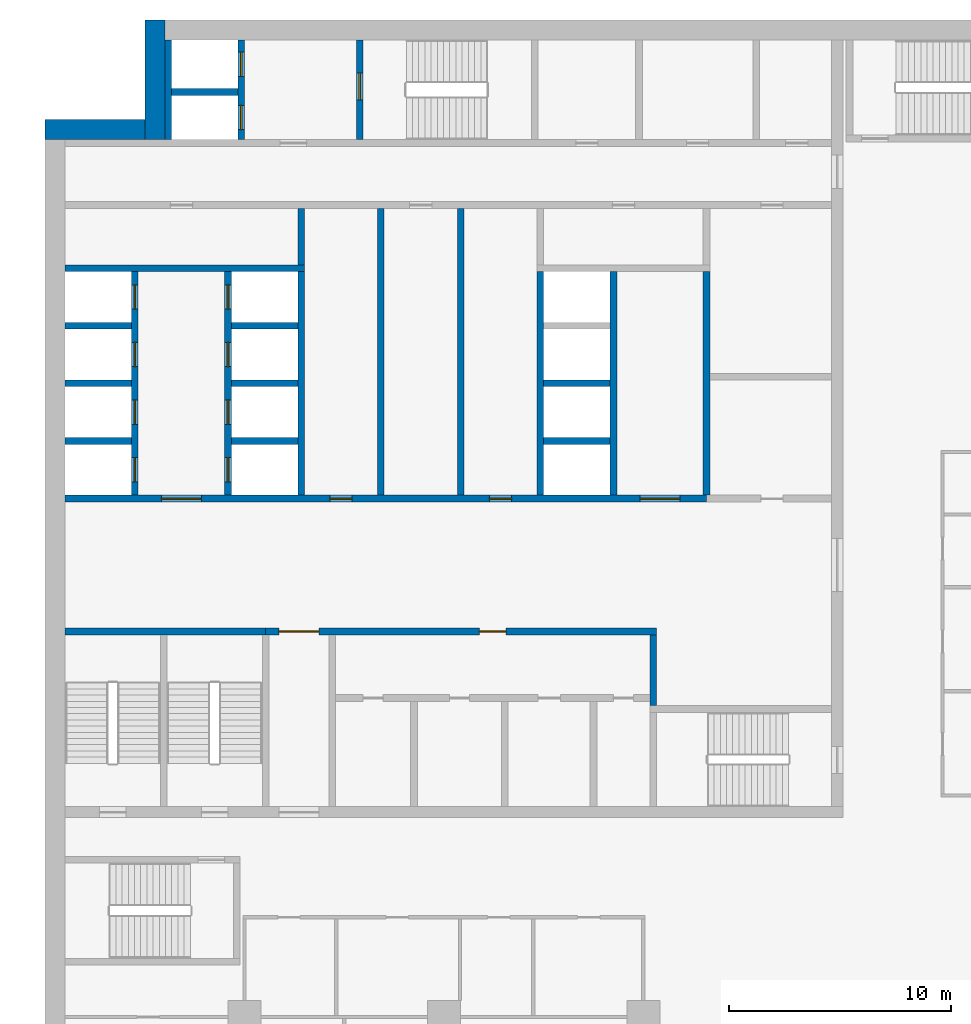
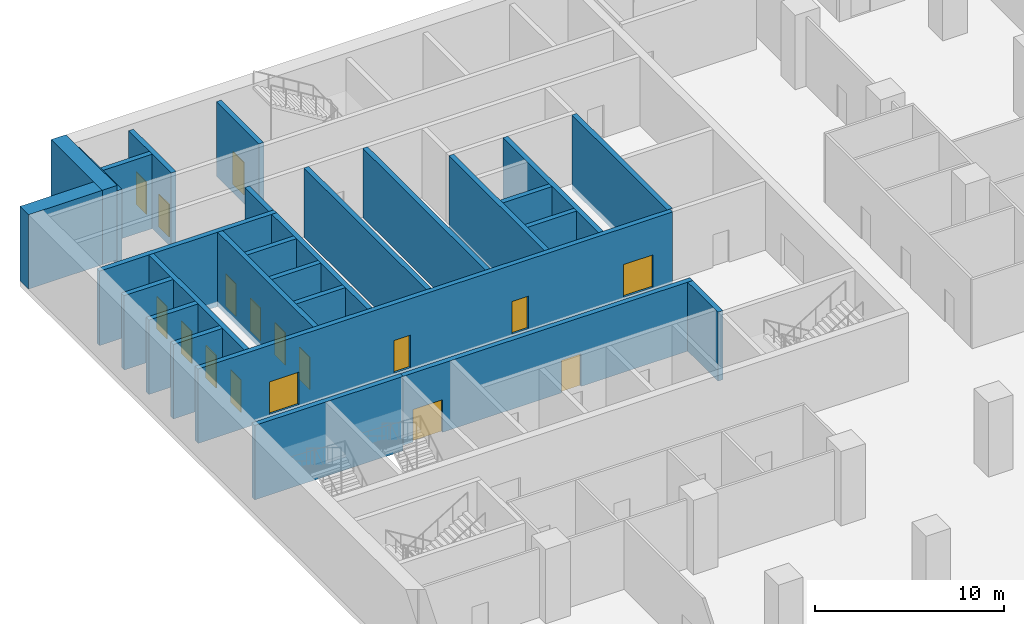
# One storey, part 26 of 49: 28 walls, 17 doors, 17 openings.
"""IFC4 building model written with IfcOpenShell, lengths in metres."""

from ifc_helpers import new_model, si_unit, direction, frame, frame_2d, origin, place, context, subcontext, project, spatial, rectangle, extrude, material, layer, layer_set, type_object, element, fill, save


model = new_model("IFC4")

# Units and contexts
model_context = context("Model", 3, precision=1e-05, world=origin(), true_north=direction((0.0, 1.0)))
body_context = subcontext(model_context, "Body", "Model", "MODEL_VIEW")
ifc_project = project(units=[si_unit("LENGTHUNIT", "METRE"), si_unit("AREAUNIT", "SQUARE_METRE"), si_unit("VOLUMEUNIT", "CUBIC_METRE"), si_unit("PLANEANGLEUNIT", "RADIAN"), si_unit("MASSUNIT", "GRAM", prefix="KILO")], contexts=[model_context])

# Site, building, storey
site_placement = place(None, origin())
site = spatial("IfcSite", under=ifc_project, at=site_placement, CompositionType="ELEMENT")
building_placement = place(site_placement, origin())
building = spatial("IfcBuilding", under=site, at=building_placement, Name="Hunhe Ridgeline Campus", CompositionType="ELEMENT")
storey_placement = place(building_placement, frame((0.0, 0.0, 21.60009765625)))
storey = spatial("IfcBuildingStorey", under=building, at=storey_placement, Name="L04", CompositionType="ELEMENT", Elevation=21.60009765625)

# Wall, openings, doors
ifc_material_1 = material(Name="Masonry concrete blockwork", Category="masonry")
ifc_layer_1 = layer(ifc_material_1, 0.300048828125)
ifc_layer_set_1 = layer_set([ifc_layer_1], Name="Core room partition 300 concrete block")
wall_type_1 = type_object("IfcWallType", Name="Core room partition 300 concrete block", PredefinedType="PARTITIONING", material=ifc_layer_set_1)
wall_1_placement = place(storey_placement, frame((9.949951171875, 71.39990234375, 0.0), z_axis=(0.0, 0.0, 1.0), x_axis=(1.0, 0.0, 0.0)))
wall_1 = element("IfcWall", 1, at=wall_1_placement, inside=storey, type_object=wall_type_1, Name="L04 core partition 13", PredefinedType="PARTITIONING", context=body_context, shape_type="SweptSolid", body=[
    extrude(rectangle(XDim=17.650146484375, YDim=0.300048828125, at=frame_2d((8.8251953125, 0.0))), origin(), (0.0, 0.0, 1.0), 4.449951171875),
])
opening_1_placement = place(wall_1_placement, frame((0.60009765625, 0.0, 0.0)))
opening_1 = element("IfcOpeningElement", 2, at=opening_1_placement, cuts=wall_1, Name="Opening CD7", PredefinedType="OPENING", context=body_context, shape_type="SweptSolid", body=[
    extrude(rectangle(XDim=1.800048828125, YDim=2.10009765625, at=frame_2d((0.89990234375, 1.050048828125))), frame((0.0, 0.14990234375, 0.0), z_axis=(0.0, -1.0, 0.0), x_axis=(1.0, 0.0, 0.0)), (0.0, 0.0, 1.0), 0.300048828125),
])
opening_2_placement = place(wall_1_placement, frame((9.64990234375, 0.0, 0.0)))
opening_2 = element("IfcOpeningElement", 3, at=opening_2_placement, cuts=wall_1, Name="Opening CD12", PredefinedType="OPENING", context=body_context, shape_type="SweptSolid", body=[
    extrude(rectangle(XDim=1.199951171875, YDim=2.10009765625, at=frame_2d((0.60009765625, 1.050048828125))), frame((0.0, 0.14990234375, 0.0), z_axis=(0.0, -1.0, 0.0), x_axis=(1.0, 0.0, 0.0)), (0.0, 0.0, 1.0), 0.300048828125),
])
ifc_material_2 = material(Name="Anodised aluminium and glass", Category="aluminium")
door_type_1 = type_object("IfcDoorType", Name="Glazed double door 1800x2100", OperationType="DOUBLE_DOOR_SINGLE_SWING", PredefinedType="DOOR", material=ifc_material_2)
door_1_placement = place(opening_1_placement, origin())
door_1 = element("IfcDoor", 4, at=door_1_placement, inside=storey, type_object=door_type_1, Name="L04 door VEST-HALL", OperationType="DOUBLE_DOOR_SINGLE_SWING", OverallHeight=2.10009765625, OverallWidth=1.800048828125, PredefinedType="DOOR", context=body_context, shape_type="SweptSolid", body=[
    extrude(rectangle(XDim=1.800048828125, YDim=2.10009765625, at=frame_2d((0.89990234375, 1.050048828125))), frame((0.0, 0.02490234375, 0.0), z_axis=(0.0, -1.0, 0.0), x_axis=(1.0, 0.0, 0.0)), (0.0, 0.0, 1.0), 0.050048828125),
])
fill(opening_1, door_1)
ifc_material_3 = material(Name="Solid core timber door leaf", Category="wood")
door_type_2 = type_object("IfcDoorType", Name="Timber door 1200x2100", OperationType="SINGLE_SWING_LEFT", PredefinedType="DOOR", material=ifc_material_3)
door_2_placement = place(opening_2_placement, origin())
door_2 = element("IfcDoor", 5, at=door_2_placement, inside=storey, type_object=door_type_2, Name="L04 door WCL2-HALL", OperationType="SINGLE_SWING_LEFT", OverallHeight=2.10009765625, OverallWidth=1.199951171875, PredefinedType="DOOR", context=body_context, shape_type="SweptSolid", body=[
    extrude(rectangle(XDim=1.199951171875, YDim=2.10009765625, at=frame_2d((0.60009765625, 1.050048828125))), frame((0.0, 0.02490234375, 0.0), z_axis=(0.0, -1.0, 0.0), x_axis=(1.0, 0.0, 0.0)), (0.0, 0.0, 1.0), 0.050048828125),
])
fill(opening_2, door_2)

# Walls
wall_2_placement = place(storey_placement, frame((11.550048828125, 87.949951171875, 0.0), z_axis=(0.0, 0.0, 1.0), x_axis=(0.0, 1.0, 0.0)))
element("IfcWall", 6, at=wall_2_placement, inside=storey, type_object=wall_type_1, Name="L04 core partition 44", PredefinedType="PARTITIONING", context=body_context, shape_type="SweptSolid", body=[
    extrude(rectangle(XDim=2.550048828125, YDim=0.300048828125, at=frame_2d((1.27490234375, 0.0))), origin(), (0.0, 0.0, 1.0), 4.449951171875),
])
for number, where, z_axis, x_axis, name in (
    (7, (15.14990234375, 77.550048828125, 0.0), (0.0, 0.0, 1.0), (0.0, 1.0, 0.0), "L04 core partition 47"),
    (8, (18.75, 77.550048828125, 0.0), (0.0, 0.0, 1.0), (0.0, 1.0, 0.0), "L04 core partition 49"),
):
    element("IfcWall", number, at=place(storey_placement, frame(where, z_axis=z_axis, x_axis=x_axis)), inside=storey, type_object=wall_type_1, Name=name, PredefinedType="PARTITIONING", context=body_context, shape_type="SweptSolid", body=[
        extrude(rectangle(XDim=12.949951171875, YDim=0.300048828125, at=frame_2d((6.47509765625, 0.0))), origin(), (0.0, 0.0, 1.0), 4.449951171875),
    ])
wall_3_placement = place(storey_placement, frame((27.449951171875, 68.050048828125, 0.0), z_axis=(0.0, 0.0, 1.0), x_axis=(0.0, 1.0, 0.0)))
element("IfcWall", 9, at=wall_3_placement, inside=storey, type_object=wall_type_1, Name="L04 core partition 60", PredefinedType="PARTITIONING", context=body_context, shape_type="SweptSolid", body=[
    extrude(rectangle(XDim=3.199951171875, YDim=0.300048828125, at=frame_2d((1.60009765625, 0.0))), origin(), (0.0, 0.0, 1.0), 4.449951171875),
])
ifc_material_4 = material(Name="Concrete C80", Category="concrete")
ifc_layer_2 = layer(ifc_material_4, 0.300048828125)
ifc_layer_set_2 = layer_set([ifc_layer_2], Name="Lobby wall 300 reinforced concrete C80")
wall_type_2 = type_object("IfcWallType", Name="Lobby wall 300 reinforced concrete C80", PredefinedType="SOLIDWALL", material=ifc_layer_set_2)
wall_4_placement = place(storey_placement, frame((29.85009765625, 77.550048828125, -0.35009765625), z_axis=(0.0, 0.0, 1.0), x_axis=(0.0, 1.0, 0.0)))
element("IfcWall", 10, at=wall_4_placement, inside=storey, type_object=wall_type_2, Name="L04 core wall 61", PredefinedType="SOLIDWALL", context=body_context, shape_type="SweptSolid", body=[
    extrude(rectangle(XDim=10.099853515625, YDim=0.300048828125, at=frame_2d((5.0498046875, 0.0))), origin(), (0.0, 0.0, 1.0), 4.800048828125),
])

# Wall, openings, doors
ifc_layer_3 = layer(ifc_material_4, 0.300048828125)
ifc_layer_set_3 = layer_set([ifc_layer_3], Name="Shaft wall 300 reinforced concrete C80")
wall_type_3 = type_object("IfcWallType", Name="Shaft wall 300 reinforced concrete C80", PredefinedType="SOLIDWALL", material=ifc_layer_set_3)
wall_5_placement = place(storey_placement, frame((0.89990234375, 77.39990234375, -0.35009765625), z_axis=(0.0, 0.0, 1.0), x_axis=(1.0, 0.0, 0.0)))
wall_5 = element("IfcWall", 11, at=wall_5_placement, inside=storey, type_object=wall_type_3, Name="L04 core wall 14", PredefinedType="SOLIDWALL", context=body_context, shape_type="SweptSolid", body=[
    extrude(rectangle(XDim=28.9501953125, YDim=0.300048828125, at=frame_2d((14.47509765625, 0.0))), origin(), (0.0, 0.0, 1.0), 4.800048828125),
])
opening_3_placement = place(wall_5_placement, frame((4.35009765625, 0.0, 0.35009765625)))
opening_3 = element("IfcOpeningElement", 12, at=opening_3_placement, cuts=wall_5, Name="Opening CD1", PredefinedType="OPENING", context=body_context, shape_type="SweptSolid", body=[
    extrude(rectangle(XDim=1.800048828125, YDim=2.10009765625, at=frame_2d((0.89990234375, 1.050048828125))), frame((0.0, 0.14990234375, 0.0), z_axis=(0.0, -1.0, 0.0), x_axis=(1.0, 0.0, 0.0)), (0.0, 0.0, 1.0), 0.300048828125),
])
opening_4_placement = place(wall_5_placement, frame((25.949951171875, 0.0, 0.35009765625)))
opening_4 = element("IfcOpeningElement", 13, at=opening_4_placement, cuts=wall_5, Name="Opening CD2", PredefinedType="OPENING", context=body_context, shape_type="SweptSolid", body=[
    extrude(rectangle(XDim=1.800048828125, YDim=2.10009765625, at=frame_2d((0.89990234375, 1.050048828125))), frame((0.0, 0.14990234375, 0.0), z_axis=(0.0, -1.0, 0.0), x_axis=(1.0, 0.0, 0.0)), (0.0, 0.0, 1.0), 0.300048828125),
])
opening_5_placement = place(wall_5_placement, frame((11.949951171875, 0.0, 0.35009765625)))
opening_5 = element("IfcOpeningElement", 14, at=opening_5_placement, cuts=wall_5, Name="Opening CD28", PredefinedType="OPENING", context=body_context, shape_type="SweptSolid", body=[
    extrude(rectangle(XDim=1.0, YDim=2.10009765625, at=frame_2d((0.5, 1.050048828125))), frame((0.0, 0.14990234375, 0.0), z_axis=(0.0, -1.0, 0.0), x_axis=(1.0, 0.0, 0.0)), (0.0, 0.0, 1.0), 0.300048828125),
])
opening_6_placement = place(wall_5_placement, frame((19.14990234375, 0.0, 0.35009765625)))
opening_6 = element("IfcOpeningElement", 15, at=opening_6_placement, cuts=wall_5, Name="Opening CD30", PredefinedType="OPENING", context=body_context, shape_type="SweptSolid", body=[
    extrude(rectangle(XDim=1.0, YDim=2.10009765625, at=frame_2d((0.5, 1.050048828125))), frame((0.0, 0.14990234375, 0.0), z_axis=(0.0, -1.0, 0.0), x_axis=(1.0, 0.0, 0.0)), (0.0, 0.0, 1.0), 0.300048828125),
])
ifc_material_5 = material(Name="Hollow metal fire door leaf")
door_type_3 = type_object("IfcDoorType", Name="Lobby door 1800x2100 FD60", OperationType="SINGLE_SWING_LEFT", PredefinedType="DOOR", material=ifc_material_5)
door_3_placement = place(opening_3_placement, frame((1.800048828125, 0.0, 0.0), z_axis=(0.0, 0.0, 1.0), x_axis=(-1.0, 0.0, 0.0)))
door_3 = element("IfcDoor", 16, at=door_3_placement, inside=storey, type_object=door_type_3, Name="L04 door LOB-LR", OperationType="SINGLE_SWING_RIGHT", OverallHeight=2.10009765625, OverallWidth=1.800048828125, PredefinedType="DOOR", context=body_context, shape_type="SweptSolid", body=[
    extrude(rectangle(XDim=1.800048828125, YDim=2.10009765625, at=frame_2d((0.89990234375, 1.050048828125))), frame((0.0, 0.02490234375, 0.0), z_axis=(0.0, -1.0, 0.0), x_axis=(1.0, 0.0, 0.0)), (0.0, 0.0, 1.0), 0.050048828125),
])
fill(opening_3, door_3)
door_4_placement = place(opening_4_placement, frame((1.800048828125, 0.0, 0.0), z_axis=(0.0, 0.0, 1.0), x_axis=(-1.0, 0.0, 0.0)))
door_4 = element("IfcDoor", 17, at=door_4_placement, inside=storey, type_object=door_type_3, Name="L04 door LOB-SH", OperationType="SINGLE_SWING_LEFT", OverallHeight=2.10009765625, OverallWidth=1.800048828125, PredefinedType="DOOR", context=body_context, shape_type="SweptSolid", body=[
    extrude(rectangle(XDim=1.800048828125, YDim=2.10009765625, at=frame_2d((0.89990234375, 1.050048828125))), frame((0.0, 0.02490234375, 0.0), z_axis=(0.0, -1.0, 0.0), x_axis=(1.0, 0.0, 0.0)), (0.0, 0.0, 1.0), 0.050048828125),
])
fill(opening_4, door_4)
door_type_4 = type_object("IfcDoorType", Name="Timber door 1000x2100", OperationType="SINGLE_SWING_LEFT", PredefinedType="DOOR", material=ifc_material_3)
door_5_placement = place(opening_5_placement, origin())
door_5 = element("IfcDoor", 18, at=door_5_placement, inside=storey, type_object=door_type_4, Name="L04 door VD-HR0", OperationType="SINGLE_SWING_LEFT", OverallHeight=2.10009765625, OverallWidth=1.0, PredefinedType="DOOR", context=body_context, shape_type="SweptSolid", body=[
    extrude(rectangle(XDim=1.0, YDim=2.10009765625, at=frame_2d((0.5, 1.050048828125))), frame((0.0, 0.02490234375, 0.0), z_axis=(0.0, -1.0, 0.0), x_axis=(1.0, 0.0, 0.0)), (0.0, 0.0, 1.0), 0.050048828125),
])
fill(opening_5, door_5)
door_6_placement = place(opening_6_placement, origin())
door_6 = element("IfcDoor", 19, at=door_6_placement, inside=storey, type_object=door_type_4, Name="L04 door VD-HR2", OperationType="SINGLE_SWING_LEFT", OverallHeight=2.10009765625, OverallWidth=1.0, PredefinedType="DOOR", context=body_context, shape_type="SweptSolid", body=[
    extrude(rectangle(XDim=1.0, YDim=2.10009765625, at=frame_2d((0.5, 1.050048828125))), frame((0.0, 0.02490234375, 0.0), z_axis=(0.0, -1.0, 0.0), x_axis=(1.0, 0.0, 0.0)), (0.0, 0.0, 1.0), 0.050048828125),
])
fill(opening_6, door_6)

# Walls
for number, where, z_axis, x_axis, name in (
    (20, (0.89990234375, 80.0, -0.35009765625), (0.0, 0.0, 1.0), (1.0, 0.0, 0.0), "L04 core wall 16"),
    (21, (8.39990234375, 80.0, -0.35009765625), (0.0, 0.0, 1.0), (1.0, 0.0, 0.0), "L04 core wall 17"),
    (22, (22.5, 80.0, -0.35009765625), (0.0, 0.0, 1.0), (1.0, 0.0, 0.0), "L04 core wall 18"),
    (23, (0.89990234375, 82.60009765625, -0.35009765625), (0.0, 0.0, 1.0), (1.0, 0.0, 0.0), "L04 core wall 19"),
    (24, (8.39990234375, 82.60009765625, -0.35009765625), (0.0, 0.0, 1.0), (1.0, 0.0, 0.0), "L04 core wall 20"),
    (25, (22.5, 82.60009765625, -0.35009765625), (0.0, 0.0, 1.0), (1.0, 0.0, 0.0), "L04 core wall 21"),
    (26, (0.89990234375, 85.199951171875, -0.35009765625), (0.0, 0.0, 1.0), (1.0, 0.0, 0.0), "L04 core wall 23"),
    (27, (8.39990234375, 85.199951171875, -0.35009765625), (0.0, 0.0, 1.0), (1.0, 0.0, 0.0), "L04 core wall 24"),
):
    element("IfcWall", number, at=place(storey_placement, frame(where, z_axis=z_axis, x_axis=x_axis)), inside=storey, type_object=wall_type_3, Name=name, PredefinedType="SOLIDWALL", context=body_context, shape_type="SweptSolid", body=[
        extrude(rectangle(XDim=3.0, YDim=0.300048828125, at=frame_2d((1.5, 0.0))), origin(), (0.0, 0.0, 1.0), 4.800048828125),
    ])
wall_6_placement = place(storey_placement, frame((0.89990234375, 87.800048828125, -0.35009765625), z_axis=(0.0, 0.0, 1.0), x_axis=(1.0, 0.0, 0.0)))
element("IfcWall", 28, at=wall_6_placement, inside=storey, type_object=wall_type_3, Name="L04 core wall 26", PredefinedType="SOLIDWALL", context=body_context, shape_type="SweptSolid", body=[
    extrude(rectangle(XDim=10.800048828125, YDim=0.300048828125, at=frame_2d((5.39990234375, 0.0))), origin(), (0.0, 0.0, 1.0), 4.800048828125),
])
wall_7_placement = place(storey_placement, frame((5.699951171875, 95.75, -0.35009765625), z_axis=(0.0, 0.0, 1.0), x_axis=(1.0, 0.0, 0.0)))
element("IfcWall", 29, at=wall_7_placement, inside=storey, type_object=wall_type_3, Name="L04 core wall 34", PredefinedType="SOLIDWALL", context=body_context, shape_type="SweptSolid", body=[
    extrude(rectangle(XDim=3.0, YDim=0.300048828125, at=frame_2d((1.5, 0.0))), origin(), (0.0, 0.0, 1.0), 4.800048828125),
])

# Wall, openings, doors
wall_8_placement = place(storey_placement, frame((4.050048828125, 77.550048828125, -0.35009765625), z_axis=(0.0, 0.0, 1.0), x_axis=(0.0, 1.0, 0.0)))
wall_8 = element("IfcWall", 30, at=wall_8_placement, inside=storey, type_object=wall_type_3, Name="L04 core wall 35", PredefinedType="SOLIDWALL", context=body_context, shape_type="SweptSolid", body=[
    extrude(rectangle(XDim=10.099853515625, YDim=0.300048828125, at=frame_2d((5.0498046875, 0.0))), origin(), (0.0, 0.0, 1.0), 4.800048828125),
])
opening_7_placement = place(wall_8_placement, frame((0.60009765625, 0.0, 0.35009765625)))
opening_7 = element("IfcOpeningElement", 31, at=opening_7_placement, cuts=wall_8, Name="Opening LD-LR1", PredefinedType="OPENING", context=body_context, shape_type="SweptSolid", body=[
    extrude(rectangle(XDim=1.10009765625, YDim=2.10009765625, at=frame_2d((0.550048828125, 1.050048828125))), frame((0.0, 0.14990234375, 0.0), z_axis=(0.0, -1.0, 0.0), x_axis=(1.0, 0.0, 0.0)), (0.0, 0.0, 1.0), 0.300048828125),
])
opening_8_placement = place(wall_8_placement, frame((3.199951171875, 0.0, 0.35009765625)))
opening_8 = element("IfcOpeningElement", 32, at=opening_8_placement, cuts=wall_8, Name="Opening LD-LR2", PredefinedType="OPENING", context=body_context, shape_type="SweptSolid", body=[
    extrude(rectangle(XDim=1.10009765625, YDim=2.10009765625, at=frame_2d((0.550048828125, 1.050048828125))), frame((0.0, 0.14990234375, 0.0), z_axis=(0.0, -1.0, 0.0), x_axis=(1.0, 0.0, 0.0)), (0.0, 0.0, 1.0), 0.300048828125),
])
opening_9_placement = place(wall_8_placement, frame((5.800048828125, 0.0, 0.35009765625)))
opening_9 = element("IfcOpeningElement", 33, at=opening_9_placement, cuts=wall_8, Name="Opening LD-LR3", PredefinedType="OPENING", context=body_context, shape_type="SweptSolid", body=[
    extrude(rectangle(XDim=1.10009765625, YDim=2.10009765625, at=frame_2d((0.550048828125, 1.050048828125))), frame((0.0, 0.14990234375, 0.0), z_axis=(0.0, -1.0, 0.0), x_axis=(1.0, 0.0, 0.0)), (0.0, 0.0, 1.0), 0.300048828125),
])
opening_10_placement = place(wall_8_placement, frame((8.39990234375, 0.0, 0.35009765625)))
opening_10 = element("IfcOpeningElement", 34, at=opening_10_placement, cuts=wall_8, Name="Opening LD-LR4", PredefinedType="OPENING", context=body_context, shape_type="SweptSolid", body=[
    extrude(rectangle(XDim=1.10009765625, YDim=2.10009765625, at=frame_2d((0.550048828125, 1.050048828125))), frame((0.0, 0.14990234375, 0.0), z_axis=(0.0, -1.0, 0.0), x_axis=(1.0, 0.0, 0.0)), (0.0, 0.0, 1.0), 0.300048828125),
])
ifc_material_6 = material(Name="Stainless steel sliding leaves", Category="steel")
door_type_5 = type_object("IfcDoorType", Name="Landing door 1100x2100 FD120", OperationType="SLIDING_TO_LEFT", PredefinedType="DOOR", material=ifc_material_6)
door_7_placement = place(opening_7_placement, origin())
door_7 = element("IfcDoor", 35, at=door_7_placement, inside=storey, type_object=door_type_5, Name="L04 landing door LR1", OperationType="SLIDING_TO_RIGHT", OverallHeight=2.10009765625, OverallWidth=1.10009765625, PredefinedType="DOOR", context=body_context, shape_type="SweptSolid", body=[
    extrude(rectangle(XDim=1.10009765625, YDim=2.10009765625, at=frame_2d((0.550048828125, 1.050048828125))), frame((0.0, 0.02490234375, 0.0), z_axis=(0.0, -1.0, 0.0), x_axis=(1.0, 0.0, 0.0)), (0.0, 0.0, 1.0), 0.050048828125),
])
fill(opening_7, door_7)
door_8_placement = place(opening_8_placement, origin())
door_8 = element("IfcDoor", 36, at=door_8_placement, inside=storey, type_object=door_type_5, Name="L04 landing door LR2", OperationType="SLIDING_TO_LEFT", OverallHeight=2.10009765625, OverallWidth=1.10009765625, PredefinedType="DOOR", context=body_context, shape_type="SweptSolid", body=[
    extrude(rectangle(XDim=1.10009765625, YDim=2.10009765625, at=frame_2d((0.550048828125, 1.050048828125))), frame((0.0, 0.02490234375, 0.0), z_axis=(0.0, -1.0, 0.0), x_axis=(1.0, 0.0, 0.0)), (0.0, 0.0, 1.0), 0.050048828125),
])
fill(opening_8, door_8)
door_9_placement = place(opening_9_placement, origin())
door_9 = element("IfcDoor", 37, at=door_9_placement, inside=storey, type_object=door_type_5, Name="L04 landing door LR3", OperationType="SLIDING_TO_RIGHT", OverallHeight=2.10009765625, OverallWidth=1.10009765625, PredefinedType="DOOR", context=body_context, shape_type="SweptSolid", body=[
    extrude(rectangle(XDim=1.10009765625, YDim=2.10009765625, at=frame_2d((0.550048828125, 1.050048828125))), frame((0.0, 0.02490234375, 0.0), z_axis=(0.0, -1.0, 0.0), x_axis=(1.0, 0.0, 0.0)), (0.0, 0.0, 1.0), 0.050048828125),
])
fill(opening_9, door_9)
door_10_placement = place(opening_10_placement, origin())
door_10 = element("IfcDoor", 38, at=door_10_placement, inside=storey, type_object=door_type_5, Name="L04 landing door LR4", OperationType="SLIDING_TO_LEFT", OverallHeight=2.10009765625, OverallWidth=1.10009765625, PredefinedType="DOOR", context=body_context, shape_type="SweptSolid", body=[
    extrude(rectangle(XDim=1.10009765625, YDim=2.10009765625, at=frame_2d((0.550048828125, 1.050048828125))), frame((0.0, 0.02490234375, 0.0), z_axis=(0.0, -1.0, 0.0), x_axis=(1.0, 0.0, 0.0)), (0.0, 0.0, 1.0), 0.050048828125),
])
fill(opening_10, door_10)

# Wall
wall_9_placement = place(storey_placement, frame((5.550048828125, 93.60009765625, -0.35009765625), z_axis=(0.0, 0.0, 1.0), x_axis=(0.0, 1.0, 0.0)))
element("IfcWall", 39, at=wall_9_placement, inside=storey, type_object=wall_type_3, Name="L04 core wall 37", PredefinedType="SOLIDWALL", context=body_context, shape_type="SweptSolid", body=[
    extrude(rectangle(XDim=4.5, YDim=0.300048828125, at=frame_2d((2.25, 0.0))), origin(), (0.0, 0.0, 1.0), 4.800048828125),
])

# Wall, openings, doors
wall_10_placement = place(storey_placement, frame((8.25, 77.550048828125, -0.35009765625), z_axis=(0.0, 0.0, 1.0), x_axis=(0.0, 1.0, 0.0)))
wall_10 = element("IfcWall", 40, at=wall_10_placement, inside=storey, type_object=wall_type_3, Name="L04 core wall 38", PredefinedType="SOLIDWALL", context=body_context, shape_type="SweptSolid", body=[
    extrude(rectangle(XDim=10.099853515625, YDim=0.300048828125, at=frame_2d((5.0498046875, 0.0))), origin(), (0.0, 0.0, 1.0), 4.800048828125),
])
opening_11_placement = place(wall_10_placement, frame((0.60009765625, 0.0, 0.35009765625)))
opening_11 = element("IfcOpeningElement", 41, at=opening_11_placement, cuts=wall_10, Name="Opening LD-LR5", PredefinedType="OPENING", context=body_context, shape_type="SweptSolid", body=[
    extrude(rectangle(XDim=1.10009765625, YDim=2.10009765625, at=frame_2d((0.550048828125, 1.050048828125))), frame((0.0, 0.14990234375, 0.0), z_axis=(0.0, -1.0, 0.0), x_axis=(1.0, 0.0, 0.0)), (0.0, 0.0, 1.0), 0.300048828125),
])
opening_12_placement = place(wall_10_placement, frame((3.199951171875, 0.0, 0.35009765625)))
opening_12 = element("IfcOpeningElement", 42, at=opening_12_placement, cuts=wall_10, Name="Opening LD-LR6", PredefinedType="OPENING", context=body_context, shape_type="SweptSolid", body=[
    extrude(rectangle(XDim=1.10009765625, YDim=2.10009765625, at=frame_2d((0.550048828125, 1.050048828125))), frame((0.0, 0.14990234375, 0.0), z_axis=(0.0, -1.0, 0.0), x_axis=(1.0, 0.0, 0.0)), (0.0, 0.0, 1.0), 0.300048828125),
])
opening_13_placement = place(wall_10_placement, frame((5.800048828125, 0.0, 0.35009765625)))
opening_13 = element("IfcOpeningElement", 43, at=opening_13_placement, cuts=wall_10, Name="Opening LD-LR7", PredefinedType="OPENING", context=body_context, shape_type="SweptSolid", body=[
    extrude(rectangle(XDim=1.10009765625, YDim=2.10009765625, at=frame_2d((0.550048828125, 1.050048828125))), frame((0.0, 0.14990234375, 0.0), z_axis=(0.0, -1.0, 0.0), x_axis=(1.0, 0.0, 0.0)), (0.0, 0.0, 1.0), 0.300048828125),
])
opening_14_placement = place(wall_10_placement, frame((8.39990234375, 0.0, 0.35009765625)))
opening_14 = element("IfcOpeningElement", 44, at=opening_14_placement, cuts=wall_10, Name="Opening LD-LR8", PredefinedType="OPENING", context=body_context, shape_type="SweptSolid", body=[
    extrude(rectangle(XDim=1.10009765625, YDim=2.10009765625, at=frame_2d((0.550048828125, 1.050048828125))), frame((0.0, 0.14990234375, 0.0), z_axis=(0.0, -1.0, 0.0), x_axis=(1.0, 0.0, 0.0)), (0.0, 0.0, 1.0), 0.300048828125),
])
door_11_placement = place(opening_11_placement, origin())
door_11 = element("IfcDoor", 45, at=door_11_placement, inside=storey, type_object=door_type_5, Name="L04 landing door LR5", OperationType="SLIDING_TO_RIGHT", OverallHeight=2.10009765625, OverallWidth=1.10009765625, PredefinedType="DOOR", context=body_context, shape_type="SweptSolid", body=[
    extrude(rectangle(XDim=1.10009765625, YDim=2.10009765625, at=frame_2d((0.550048828125, 1.050048828125))), frame((0.0, 0.02490234375, 0.0), z_axis=(0.0, -1.0, 0.0), x_axis=(1.0, 0.0, 0.0)), (0.0, 0.0, 1.0), 0.050048828125),
])
fill(opening_11, door_11)
door_12_placement = place(opening_12_placement, origin())
door_12 = element("IfcDoor", 46, at=door_12_placement, inside=storey, type_object=door_type_5, Name="L04 landing door LR6", OperationType="SLIDING_TO_LEFT", OverallHeight=2.10009765625, OverallWidth=1.10009765625, PredefinedType="DOOR", context=body_context, shape_type="SweptSolid", body=[
    extrude(rectangle(XDim=1.10009765625, YDim=2.10009765625, at=frame_2d((0.550048828125, 1.050048828125))), frame((0.0, 0.02490234375, 0.0), z_axis=(0.0, -1.0, 0.0), x_axis=(1.0, 0.0, 0.0)), (0.0, 0.0, 1.0), 0.050048828125),
])
fill(opening_12, door_12)
door_13_placement = place(opening_13_placement, origin())
door_13 = element("IfcDoor", 47, at=door_13_placement, inside=storey, type_object=door_type_5, Name="L04 landing door LR7", OperationType="SLIDING_TO_RIGHT", OverallHeight=2.10009765625, OverallWidth=1.10009765625, PredefinedType="DOOR", context=body_context, shape_type="SweptSolid", body=[
    extrude(rectangle(XDim=1.10009765625, YDim=2.10009765625, at=frame_2d((0.550048828125, 1.050048828125))), frame((0.0, 0.02490234375, 0.0), z_axis=(0.0, -1.0, 0.0), x_axis=(1.0, 0.0, 0.0)), (0.0, 0.0, 1.0), 0.050048828125),
])
fill(opening_13, door_13)
door_14_placement = place(opening_14_placement, origin())
door_14 = element("IfcDoor", 48, at=door_14_placement, inside=storey, type_object=door_type_5, Name="L04 landing door LR8", OperationType="SLIDING_TO_LEFT", OverallHeight=2.10009765625, OverallWidth=1.10009765625, PredefinedType="DOOR", context=body_context, shape_type="SweptSolid", body=[
    extrude(rectangle(XDim=1.10009765625, YDim=2.10009765625, at=frame_2d((0.550048828125, 1.050048828125))), frame((0.0, 0.02490234375, 0.0), z_axis=(0.0, -1.0, 0.0), x_axis=(1.0, 0.0, 0.0)), (0.0, 0.0, 1.0), 0.050048828125),
])
fill(opening_14, door_14)

wall_11_placement = place(storey_placement, frame((8.85009765625, 93.60009765625, -0.35009765625), z_axis=(0.0, 0.0, 1.0), x_axis=(0.0, 1.0, 0.0)))
wall_11 = element("IfcWall", 49, at=wall_11_placement, inside=storey, type_object=wall_type_3, Name="L04 core wall 41", PredefinedType="SOLIDWALL", context=body_context, shape_type="SweptSolid", body=[
    extrude(rectangle(XDim=4.5, YDim=0.300048828125, at=frame_2d((2.25, 0.0))), origin(), (0.0, 0.0, 1.0), 4.800048828125),
])
opening_15_placement = place(wall_11_placement, frame((0.449951171875, 0.0, 0.35009765625)))
opening_15 = element("IfcOpeningElement", 50, at=opening_15_placement, cuts=wall_11, Name="Opening LD-FF1", PredefinedType="OPENING", context=body_context, shape_type="SweptSolid", body=[
    extrude(rectangle(XDim=1.10009765625, YDim=2.10009765625, at=frame_2d((0.550048828125, 1.050048828125))), frame((0.0, 0.14990234375, 0.0), z_axis=(0.0, -1.0, 0.0), x_axis=(1.0, 0.0, 0.0)), (0.0, 0.0, 1.0), 0.300048828125),
])
opening_16_placement = place(wall_11_placement, frame((2.85009765625, 0.0, 0.35009765625)))
opening_16 = element("IfcOpeningElement", 51, at=opening_16_placement, cuts=wall_11, Name="Opening LD-FF2", PredefinedType="OPENING", context=body_context, shape_type="SweptSolid", body=[
    extrude(rectangle(XDim=1.10009765625, YDim=2.10009765625, at=frame_2d((0.550048828125, 1.050048828125))), frame((0.0, 0.14990234375, 0.0), z_axis=(0.0, -1.0, 0.0), x_axis=(1.0, 0.0, 0.0)), (0.0, 0.0, 1.0), 0.300048828125),
])
door_15_placement = place(opening_15_placement, origin())
door_15 = element("IfcDoor", 52, at=door_15_placement, inside=storey, type_object=door_type_5, Name="L04 landing door FF1", OperationType="SLIDING_TO_RIGHT", OverallHeight=2.10009765625, OverallWidth=1.10009765625, PredefinedType="DOOR", context=body_context, shape_type="SweptSolid", body=[
    extrude(rectangle(XDim=1.10009765625, YDim=2.10009765625, at=frame_2d((0.550048828125, 1.050048828125))), frame((0.0, 0.02490234375, 0.0), z_axis=(0.0, -1.0, 0.0), x_axis=(1.0, 0.0, 0.0)), (0.0, 0.0, 1.0), 0.050048828125),
])
fill(opening_15, door_15)
door_16_placement = place(opening_16_placement, origin())
door_16 = element("IfcDoor", 53, at=door_16_placement, inside=storey, type_object=door_type_5, Name="L04 landing door FF2", OperationType="SLIDING_TO_LEFT", OverallHeight=2.10009765625, OverallWidth=1.10009765625, PredefinedType="DOOR", context=body_context, shape_type="SweptSolid", body=[
    extrude(rectangle(XDim=1.10009765625, YDim=2.10009765625, at=frame_2d((0.550048828125, 1.050048828125))), frame((0.0, 0.02490234375, 0.0), z_axis=(0.0, -1.0, 0.0), x_axis=(1.0, 0.0, 0.0)), (0.0, 0.0, 1.0), 0.050048828125),
])
fill(opening_16, door_16)

# Walls
for number, where, z_axis, x_axis, name in (
    (54, (11.550048828125, 77.550048828125, -0.35009765625), (0.0, 0.0, 1.0), (0.0, 1.0, 0.0), "L04 core wall 43"),
    (55, (22.35009765625, 77.550048828125, -0.35009765625), (0.0, 0.0, 1.0), (0.0, 1.0, 0.0), "L04 core wall 53"),
    (56, (25.64990234375, 77.550048828125, -0.35009765625), (0.0, 0.0, 1.0), (0.0, 1.0, 0.0), "L04 core wall 57"),
):
    element("IfcWall", number, at=place(storey_placement, frame(where, z_axis=z_axis, x_axis=x_axis)), inside=storey, type_object=wall_type_3, Name=name, PredefinedType="SOLIDWALL", context=body_context, shape_type="SweptSolid", body=[
        extrude(rectangle(XDim=10.099853515625, YDim=0.300048828125, at=frame_2d((5.0498046875, 0.0))), origin(), (0.0, 0.0, 1.0), 4.800048828125),
    ])
ifc_layer_4 = layer(ifc_material_4, 0.89990234375)
ifc_layer_set_4 = layer_set([ifc_layer_4], Name="Spine wall 900 Concrete C80")
wall_type_4 = type_object("IfcWallType", Name="Spine wall 900 Concrete C80", PredefinedType="SHEAR", material=ifc_layer_set_4)
for number, where, z_axis, x_axis, name in (
    (57, (4.949951171875, 99.0, 0.0), (0.0, 0.0, 1.0), (0.0, -1.0, 0.0), "Spine wall SW1-5 L04"),
    (58, (5.400146484375, 94.050048828125, 0.0), (0.0, 0.0, 1.0), (-1.0, 0.0, 0.0), "Spine wall SW1-6 L04"),
):
    element("IfcWall", number, at=place(storey_placement, frame(where, z_axis=z_axis, x_axis=x_axis)), inside=storey, type_object=wall_type_4, Name=name, PredefinedType="SHEAR", context=body_context, shape_type="SweptSolid", body=[
        extrude(rectangle(XDim=5.400146484375, YDim=0.89990234375, at=frame_2d((2.7001953125, 0.0))), origin(), (0.0, 0.0, 1.0), 4.7998046875),
    ])
ifc_layer_5 = layer(ifc_material_4, 0.300048828125)
ifc_layer_set_5 = layer_set([ifc_layer_5], Name="Stair wall 300 reinforced concrete C80")
wall_type_5 = type_object("IfcWallType", Name="Stair wall 300 reinforced concrete C80", PredefinedType="SOLIDWALL", material=ifc_layer_set_5)
wall_12_placement = place(storey_placement, frame((0.89990234375, 71.39990234375, -0.35009765625), z_axis=(0.0, 0.0, 1.0), x_axis=(1.0, 0.0, 0.0)))
element("IfcWall", 59, at=wall_12_placement, inside=storey, type_object=wall_type_5, Name="L04 core wall 12", PredefinedType="SOLIDWALL", context=body_context, shape_type="SweptSolid", body=[
    extrude(rectangle(XDim=9.050048828125, YDim=0.300048828125, at=frame_2d((4.52490234375, 0.0))), origin(), (0.0, 0.0, 1.0), 4.800048828125),
])

# Wall, opening, door
wall_13_placement = place(storey_placement, frame((14.199951171875, 93.60009765625, -0.35009765625), z_axis=(0.0, 0.0, 1.0), x_axis=(0.0, 1.0, 0.0)))
wall_13 = element("IfcWall", 60, at=wall_13_placement, inside=storey, type_object=wall_type_5, Name="L04 core wall 46", PredefinedType="SOLIDWALL", context=body_context, shape_type="SweptSolid", body=[
    extrude(rectangle(XDim=4.5, YDim=0.300048828125, at=frame_2d((2.25, 0.0))), origin(), (0.0, 0.0, 1.0), 4.800048828125),
])
opening_17_placement = place(wall_13_placement, frame((1.800048828125, 0.0, 0.35009765625)))
opening_17 = element("IfcOpeningElement", 61, at=opening_17_placement, cuts=wall_13, Name="Opening CD16", PredefinedType="OPENING", context=body_context, shape_type="SweptSolid", body=[
    extrude(rectangle(XDim=1.199951171875, YDim=2.10009765625, at=frame_2d((0.60009765625, 1.050048828125))), frame((0.0, 0.14990234375, 0.0), z_axis=(0.0, -1.0, 0.0), x_axis=(1.0, 0.0, 0.0)), (0.0, 0.0, 1.0), 0.300048828125),
])
door_type_6 = type_object("IfcDoorType", Name="Stair door 1200x2100 FD60", OperationType="SINGLE_SWING_LEFT", PredefinedType="DOOR", material=ifc_material_5)
door_17_placement = place(opening_17_placement, origin())
door_17 = element("IfcDoor", 62, at=door_17_placement, inside=storey, type_object=door_type_6, Name="L04 door S1-FF", OperationType="SINGLE_SWING_LEFT", OverallHeight=2.10009765625, OverallWidth=1.199951171875, PredefinedType="DOOR", context=body_context, shape_type="SweptSolid", body=[
    extrude(rectangle(XDim=1.199951171875, YDim=2.10009765625, at=frame_2d((0.60009765625, 1.050048828125))), frame((0.0, 0.02490234375, 0.0), z_axis=(0.0, -1.0, 0.0), x_axis=(1.0, 0.0, 0.0)), (0.0, 0.0, 1.0), 0.050048828125),
])
fill(opening_17, door_17)

save(model, "model.ifc")
